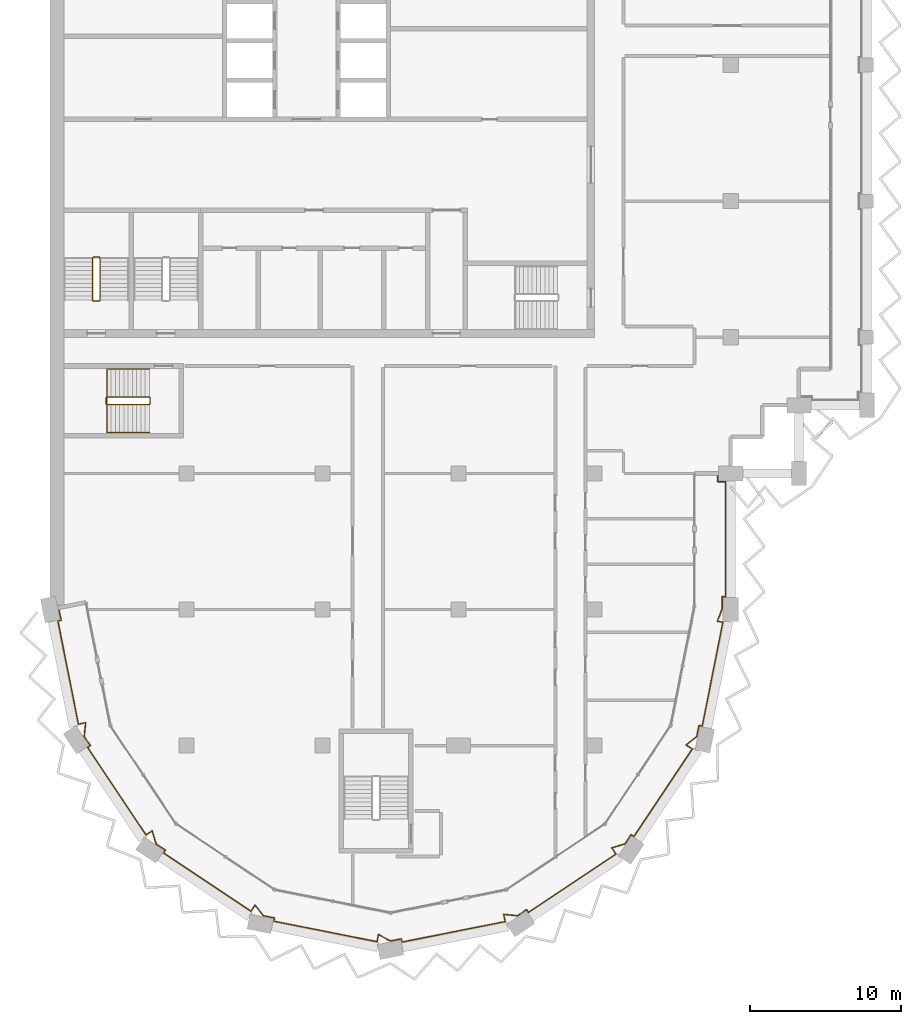
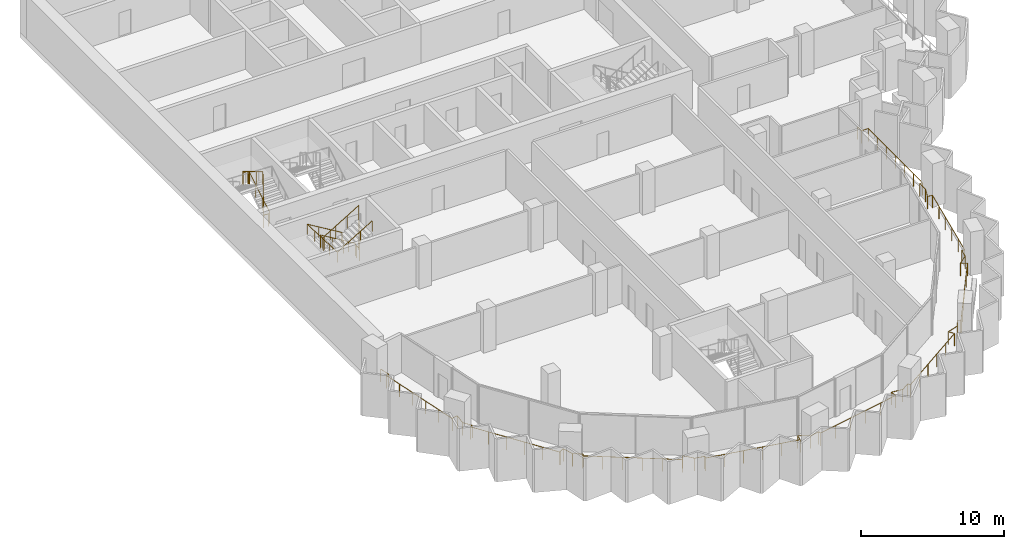
# One storey, part 14 of 16: 4 railings.
"""IFC4 building model written with IfcOpenShell, lengths in metres."""

from ifc_helpers import new_model, si_unit, direction, frame, origin, origin_2d, place, context, subcontext, project, spatial, circle, extrude, material, type_object, element, save


model = new_model("IFC4")

# Units and contexts
model_context = context("Model", 3, precision=1e-05, world=origin(), true_north=direction((0.0, 1.0)))
body_context = subcontext(model_context, "Body", "Model", "MODEL_VIEW")
ifc_project = project(units=[si_unit("LENGTHUNIT", "METRE"), si_unit("AREAUNIT", "SQUARE_METRE"), si_unit("VOLUMEUNIT", "CUBIC_METRE"), si_unit("PLANEANGLEUNIT", "RADIAN"), si_unit("MASSUNIT", "GRAM", prefix="KILO")], contexts=[model_context])

# Site, building, storey
site_placement = place(None, origin())
site = spatial("IfcSite", under=ifc_project, at=site_placement, CompositionType="ELEMENT")
building_placement = place(site_placement, origin())
building = spatial("IfcBuilding", under=site, at=building_placement, Name="Hunhe Ridgeline Campus", CompositionType="ELEMENT")
storey_placement = place(building_placement, frame((0.0, 0.0, 254.0)))
storey = spatial("IfcBuildingStorey", under=building, at=storey_placement, Name="L65", CompositionType="ELEMENT", Elevation=254.0)

# Railings
ifc_material_1 = material(Name="Steel Q355", Category="steel")
railing_type_1 = type_object("IfcRailingType", Name="Loggia guard 1100 Steel Q355", PredefinedType="GUARDRAIL", material=ifc_material_1)
railing_1_placement = place(storey_placement, frame((0.55908203125, 45.111083984375, 0.0)))
element("IfcRailing", 1, at=railing_1_placement, inside=storey, type_object=railing_type_1, Name="Loggia guard 1", PredefinedType="GUARDRAIL", context=body_context, shape_type="SweptSolid", body=[
    extrude(circle(Radius=0.02392578125, at=origin_2d()), frame((0.0, 0.0, 1.076171875), z_axis=(0.195066328581, -0.980790052689, 0.0), x_axis=(0.980790052689, 0.195066328581, 0.0)), (0.0, 0.0, 1.0), 0.849853515625),
    extrude(circle(Radius=0.02392578125, at=origin_2d()), frame((0.165771484375, -0.83349609375, 1.076171875), z_axis=(-0.980750988442, -0.195262640233, 0.0), x_axis=(0.195262640233, -0.980750988442, 0.0)), (0.0, 0.0, 1.0), 0.219970703125),
    extrude(circle(Radius=0.02392578125, at=origin_2d()), frame((-0.050048828125, -0.87646484375, 1.076171875), z_axis=(0.1951025318, -0.980782851647, 0.0), x_axis=(0.980782851647, 0.1951025318, 0.0)), (0.0, 0.0, 1.0), 6.94873046875),
    extrude(circle(Radius=0.02392578125, at=origin_2d()), frame((1.3056640625, -7.691650390625, 1.076171875), z_axis=(0.980791706313, 0.195058014004, 0.0), x_axis=(-0.195058014004, 0.980791706313, 0.0)), (0.0, 0.0, 1.0), 0.488037109375),
    extrude(circle(Radius=0.02392578125, at=origin_2d()), frame((1.784423828125, -7.596435546875, 1.076171875), z_axis=(-0.103312201106, -0.994648977832, 0.0), x_axis=(0.994648977832, -0.103312201106, 0.0)), (0.0, 0.0, 1.0), 0.907470703125),
    extrude(circle(Radius=0.02392578125, at=origin_2d()), frame((1.690673828125, -8.4990234375, 1.076171875), z_axis=(0.555464783965, -0.831540061437, 0.0), x_axis=(0.831540061437, 0.555464783965, 0.0)), (0.0, 0.0, 1.0), 0.736572265625),
    extrude(circle(Radius=0.02392578125, at=origin_2d()), frame((2.099853515625, -9.111572265625, 1.076171875), z_axis=(-0.831708467209, -0.555212594933, 0.0), x_axis=(0.555212594933, -0.831708467209, 0.0)), (0.0, 0.0, 1.0), 0.219970703125),
    extrude(circle(Radius=0.02392578125, at=origin_2d()), frame((1.9169921875, -9.233642578125, 1.076171875), z_axis=(0.555559363791, -0.831476874786, 0.0), x_axis=(0.831476874786, 0.555559363791, 0.0)), (0.0, 0.0, 1.0), 6.948486328125),
    extrude(circle(Radius=0.02392578125, at=origin_2d()), frame((5.77734375, -15.01123046875, 1.076171875), z_axis=(0.831588140797, 0.555392801615, 0.0), x_axis=(-0.555392801615, 0.831588140797, 0.0)), (0.0, 0.0, 1.0), 0.488037109375),
    extrude(circle(Radius=0.02392578125, at=origin_2d()), frame((6.18310546875, -14.740234375, 1.076171875), z_axis=(0.285150626135, -0.958482717849, 0.0), x_axis=(0.958482717849, 0.285150626135, 0.0)), (0.0, 0.0, 1.0), 0.907470703125),
    extrude(circle(Radius=0.02392578125, at=origin_2d()), frame((6.44189453125, -15.610107421875, 1.076171875), z_axis=(0.831540061437, -0.555464783965, 0.0), x_axis=(0.555464783965, 0.831540061437, 0.0)), (0.0, 0.0, 1.0), 0.736572265625),
    extrude(circle(Radius=0.02392578125, at=origin_2d()), frame((7.054443359375, -16.019287109375, 1.076171875), z_axis=(-0.555980009223, -0.831195662491, 0.0), x_axis=(0.831195662491, -0.555980009223, 0.0)), (0.0, 0.0, 1.0), 0.219970703125),
    extrude(circle(Radius=0.02392578125, at=origin_2d()), frame((6.93212890625, -16.2021484375, 1.076171875), z_axis=(0.831460644532, -0.555583654003, 0.0), x_axis=(0.555583654003, 0.831460644532, 0.0)), (0.0, 0.0, 1.0), 6.94873046875),
    extrude(circle(Radius=0.02392578125, at=origin_2d()), frame((12.709716796875, -20.062744140625, 1.076171875), z_axis=(0.555507638283, 0.831511433361, 0.0), x_axis=(-0.831511433361, 0.555507638283, 0.0)), (0.0, 0.0, 1.0), 0.48828125),
    extrude(circle(Radius=0.02392578125, at=origin_2d()), frame((12.98095703125, -19.65673828125, 1.076171875), z_axis=(0.630288754525, -0.776360796227, 0.0), x_axis=(0.776360796227, 0.630288754525, 0.0)), (0.0, 0.0, 1.0), 0.907470703125),
    extrude(circle(Radius=0.02392578125, at=origin_2d()), frame((13.552978515625, -20.361328125, 1.076171875), z_axis=(0.980758742397, -0.19522369019, 0.0), x_axis=(0.19522369019, 0.980758742397, 0.0)), (0.0, 0.0, 1.0), 0.736572265625),
    extrude(circle(Radius=0.02392578125, at=origin_2d()), frame((14.275390625, -20.505126953125, 1.076171875), z_axis=(-0.195262640233, -0.980750988442, 0.0), x_axis=(0.980750988442, -0.195262640233, 0.0)), (0.0, 0.0, 1.0), 0.219970703125),
    extrude(circle(Radius=0.02392578125, at=origin_2d()), frame((14.232421875, -20.720947265625, 1.076171875), z_axis=(0.980789574233, -0.195068734234, 0.0), x_axis=(0.195068734234, 0.980789574233, 0.0)), (0.0, 0.0, 1.0), 6.94873046875),
    extrude(circle(Radius=0.02392578125, at=origin_2d()), frame((21.047607421875, -22.076416015625, 1.076171875), z_axis=(0.195153744134, 0.980772662828, 0.0), x_axis=(-0.980772662828, 0.195153744134, 0.0)), (0.0, 0.0, 1.0), 0.48779296875),
    extrude(circle(Radius=0.02392578125, at=origin_2d()), frame((21.142822265625, -21.597900390625, 1.076171875), z_axis=(0.879371752487, -0.476135821934, 0.0), x_axis=(0.476135821934, 0.879371752487, 0.0)), (0.0, 0.0, 1.0), 0.907470703125),
    extrude(circle(Radius=0.02392578125, at=origin_2d()), frame((21.94091796875, -22.030029296875, 1.076171875), z_axis=(0.980758742397, 0.19522369019, 0.0), x_axis=(-0.19522369019, 0.980758742397, 0.0)), (0.0, 0.0, 1.0), 0.736572265625),
    extrude(circle(Radius=0.02392578125, at=origin_2d()), frame((22.663330078125, -21.88623046875, 1.076171875), z_axis=(0.195262640233, -0.980750988442, 0.0), x_axis=(0.980750988442, 0.195262640233, 0.0)), (0.0, 0.0, 1.0), 0.219970703125),
    extrude(circle(Radius=0.02392578125, at=origin_2d()), frame((22.706298828125, -22.10205078125, 1.076171875), z_axis=(0.980782851647, 0.1951025318, 0.0), x_axis=(-0.1951025318, 0.980782851647, 0.0)), (0.0, 0.0, 1.0), 6.94873046875),
    extrude(circle(Radius=0.02392578125, at=origin_2d()), frame((29.521484375, -20.746337890625, 1.076171875), z_axis=(-0.195058014004, 0.980791706313, 0.0), x_axis=(-0.980791706313, -0.195058014004, 0.0)), (0.0, 0.0, 1.0), 0.488037109375),
    extrude(circle(Radius=0.02392578125, at=origin_2d()), frame((29.42626953125, -20.267578125, 1.076171875), z_axis=(0.994648977832, -0.103312201106, 0.0), x_axis=(0.103312201106, 0.994648977832, 0.0)), (0.0, 0.0, 1.0), 0.907470703125),
    extrude(circle(Radius=0.02392578125, at=origin_2d()), frame((30.328857421875, -20.361328125, 1.076171875), z_axis=(0.831540061437, 0.555464783965, 0.0), x_axis=(-0.555464783965, 0.831540061437, 0.0)), (0.0, 0.0, 1.0), 0.736572265625),
    extrude(circle(Radius=0.02392578125, at=origin_2d()), frame((30.94140625, -19.9521484375, 1.076171875), z_axis=(0.555212594933, -0.831708467209, 0.0), x_axis=(0.831708467209, 0.555212594933, 0.0)), (0.0, 0.0, 1.0), 0.219970703125),
    extrude(circle(Radius=0.02392578125, at=origin_2d()), frame((31.0634765625, -20.135009765625, 1.076171875), z_axis=(0.831476874786, 0.555559363791, 0.0), x_axis=(-0.555559363791, 0.831476874786, 0.0)), (0.0, 0.0, 1.0), 6.948486328125),
    extrude(circle(Radius=0.02392578125, at=origin_2d()), frame((36.841064453125, -16.274658203125, 1.076171875), z_axis=(-0.555392801615, 0.831588140797, 0.0), x_axis=(-0.831588140797, -0.555392801615, 0.0)), (0.0, 0.0, 1.0), 0.488037109375),
    extrude(circle(Radius=0.02392578125, at=origin_2d()), frame((36.570068359375, -15.868896484375, 1.076171875), z_axis=(0.958482717849, 0.285150626135, 0.0), x_axis=(-0.285150626135, 0.958482717849, 0.0)), (0.0, 0.0, 1.0), 0.907470703125),
    extrude(circle(Radius=0.02392578125, at=origin_2d()), frame((37.43994140625, -15.610107421875, 1.076171875), z_axis=(0.555464783965, 0.831540061437, 0.0), x_axis=(-0.831540061437, 0.555464783965, 0.0)), (0.0, 0.0, 1.0), 0.736572265625),
    extrude(circle(Radius=0.02392578125, at=origin_2d()), frame((37.84912109375, -14.99755859375, 1.076171875), z_axis=(0.831195662491, -0.555980009223, 0.0), x_axis=(0.555980009223, 0.831195662491, 0.0)), (0.0, 0.0, 1.0), 0.219970703125),
    extrude(circle(Radius=0.02392578125, at=origin_2d()), frame((38.031982421875, -15.119873046875, 1.076171875), z_axis=(0.555583654003, 0.831460644532, 0.0), x_axis=(-0.831460644532, 0.555583654003, 0.0)), (0.0, 0.0, 1.0), 6.94873046875),
    extrude(circle(Radius=0.02392578125, at=origin_2d()), frame((41.892578125, -9.34228515625, 1.076171875), z_axis=(-0.831511433361, 0.555507638283, 0.0), x_axis=(-0.555507638283, -0.831511433361, 0.0)), (0.0, 0.0, 1.0), 0.48828125),
    extrude(circle(Radius=0.02392578125, at=origin_2d()), frame((41.486572265625, -9.071044921875, 1.076171875), z_axis=(0.776360796227, 0.630288754525, 0.0), x_axis=(-0.630288754525, 0.776360796227, 0.0)), (0.0, 0.0, 1.0), 0.907470703125),
    extrude(circle(Radius=0.02392578125, at=origin_2d()), frame((42.191162109375, -8.4990234375, 1.076171875), z_axis=(0.19522369019, 0.980758742397, 0.0), x_axis=(-0.980758742397, 0.19522369019, 0.0)), (0.0, 0.0, 1.0), 0.736572265625),
    extrude(circle(Radius=0.02392578125, at=origin_2d()), frame((42.3349609375, -7.776611328125, 1.076171875), z_axis=(0.980750988442, -0.195262640233, 0.0), x_axis=(0.195262640233, 0.980750988442, 0.0)), (0.0, 0.0, 1.0), 0.219970703125),
    extrude(circle(Radius=0.02392578125, at=origin_2d()), frame((42.55078125, -7.819580078125, 1.076171875), z_axis=(0.195082678264, 0.980786800809, 0.0), x_axis=(-0.980786800809, 0.195082678264, 0.0)), (0.0, 0.0, 1.0), 6.9970703125),
    extrude(circle(Radius=0.02392578125, at=origin_2d()), frame((43.915771484375, -0.95703125, 1.076171875), z_axis=(-0.980759647752, 0.195219141842, 0.0), x_axis=(-0.195219141842, -0.980759647752, 0.0)), (0.0, 0.0, 1.0), 0.366455078125),
    extrude(circle(Radius=0.02392578125, at=origin_2d()), frame((43.556396484375, -0.885498046875, 1.076171875), z_axis=(0.354074070723, 0.935217382453, 0.0), x_axis=(-0.935217382453, 0.354074070723, 0.0)), (0.0, 0.0, 1.0), 0.88818359375),
    extrude(circle(Radius=0.02392578125, at=origin_2d()), frame((43.870849609375, -0.054931640625, 1.076171875), z_axis=(0.0, 1.0, 0.0), x_axis=(-1.0, 0.0, 0.0)), (0.0, 0.0, 1.0), 0.7939453125),
    extrude(circle(Radius=0.02392578125, at=origin_2d()), frame((43.870849609375, 0.739013671875, 1.076171875), z_axis=(1.0, 0.0, 0.0), x_axis=(0.0, 1.0, 0.0)), (0.0, 0.0, 1.0), 0.219970703125),
    extrude(circle(Radius=0.02392578125, at=origin_2d()), frame((44.0908203125, 0.739013671875, 1.076171875), z_axis=(0.0, 1.0, 0.0), x_axis=(-1.0, 0.0, 0.0)), (0.0, 0.0, 1.0), 7.599853515625),
    extrude(circle(Radius=0.02392578125, at=origin_2d()), frame((44.0908203125, 8.3388671875, 1.076171875), z_axis=(-1.0, 0.0, 0.0), x_axis=(0.0, -1.0, 0.0)), (0.0, 0.0, 1.0), 0.52001953125),
    extrude(circle(Radius=0.02392578125, at=origin_2d()), frame((43.57080078125, 8.3388671875, 1.076171875), z_axis=(0.0, 1.0, 0.0), x_axis=(-1.0, 0.0, 0.0)), (0.0, 0.0, 1.0), 0.550048828125),
    extrude(circle(Radius=0.02099609375, at=origin_2d()), origin(), (0.0, 0.0, 1.0), 1.052001953125),
    extrude(circle(Radius=0.02099609375, at=origin_2d()), frame((0.165771484375, -0.83349609375, 0.0)), (0.0, 0.0, 1.0), 1.052001953125),
    extrude(circle(Radius=0.02099609375, at=origin_2d()), frame((-0.050048828125, -0.87646484375, 0.0)), (0.0, 0.0, 1.0), 1.052001953125),
    extrude(circle(Radius=0.02099609375, at=origin_2d()), frame((0.22119140625, -2.239501953125, 0.0)), (0.0, 0.0, 1.0), 1.052001953125),
    extrude(circle(Radius=0.02099609375, at=origin_2d()), frame((0.4921875, -3.6025390625, 0.0)), (0.0, 0.0, 1.0), 1.052001953125),
    extrude(circle(Radius=0.02099609375, at=origin_2d()), frame((0.763427734375, -4.965576171875, 0.0)), (0.0, 0.0, 1.0), 1.052001953125),
    extrude(circle(Radius=0.02099609375, at=origin_2d()), frame((1.034423828125, -6.32861328125, 0.0)), (0.0, 0.0, 1.0), 1.052001953125),
    extrude(circle(Radius=0.02099609375, at=origin_2d()), frame((1.3056640625, -7.691650390625, 0.0)), (0.0, 0.0, 1.0), 1.052001953125),
    extrude(circle(Radius=0.02099609375, at=origin_2d()), frame((1.784423828125, -7.596435546875, 0.0)), (0.0, 0.0, 1.0), 1.052001953125),
    extrude(circle(Radius=0.02099609375, at=origin_2d()), frame((1.690673828125, -8.4990234375, 0.0)), (0.0, 0.0, 1.0), 1.052001953125),
    extrude(circle(Radius=0.02099609375, at=origin_2d()), frame((2.099853515625, -9.111572265625, 0.0)), (0.0, 0.0, 1.0), 1.052001953125),
    extrude(circle(Radius=0.02099609375, at=origin_2d()), frame((1.9169921875, -9.233642578125, 0.0)), (0.0, 0.0, 1.0), 1.052001953125),
    extrude(circle(Radius=0.02099609375, at=origin_2d()), frame((2.68896484375, -10.38916015625, 0.0)), (0.0, 0.0, 1.0), 1.052001953125),
    extrude(circle(Radius=0.02099609375, at=origin_2d()), frame((3.461181640625, -11.544677734375, 0.0)), (0.0, 0.0, 1.0), 1.052001953125),
    extrude(circle(Radius=0.02099609375, at=origin_2d()), frame((4.233154296875, -12.7001953125, 0.0)), (0.0, 0.0, 1.0), 1.052001953125),
    extrude(circle(Radius=0.02099609375, at=origin_2d()), frame((5.00537109375, -13.855712890625, 0.0)), (0.0, 0.0, 1.0), 1.052001953125),
    extrude(circle(Radius=0.02099609375, at=origin_2d()), frame((5.77734375, -15.01123046875, 0.0)), (0.0, 0.0, 1.0), 1.052001953125),
    extrude(circle(Radius=0.02099609375, at=origin_2d()), frame((6.18310546875, -14.740234375, 0.0)), (0.0, 0.0, 1.0), 1.052001953125),
    extrude(circle(Radius=0.02099609375, at=origin_2d()), frame((6.44189453125, -15.610107421875, 0.0)), (0.0, 0.0, 1.0), 1.052001953125),
    extrude(circle(Radius=0.02099609375, at=origin_2d()), frame((7.054443359375, -16.019287109375, 0.0)), (0.0, 0.0, 1.0), 1.052001953125),
    extrude(circle(Radius=0.02099609375, at=origin_2d()), frame((6.93212890625, -16.2021484375, 0.0)), (0.0, 0.0, 1.0), 1.052001953125),
    extrude(circle(Radius=0.02099609375, at=origin_2d()), frame((8.087646484375, -16.974365234375, 0.0)), (0.0, 0.0, 1.0), 1.052001953125),
    extrude(circle(Radius=0.02099609375, at=origin_2d()), frame((9.2431640625, -17.746337890625, 0.0)), (0.0, 0.0, 1.0), 1.052001953125),
    extrude(circle(Radius=0.02099609375, at=origin_2d()), frame((10.398681640625, -18.5185546875, 0.0)), (0.0, 0.0, 1.0), 1.052001953125),
    extrude(circle(Radius=0.02099609375, at=origin_2d()), frame((11.55419921875, -19.29052734375, 0.0)), (0.0, 0.0, 1.0), 1.052001953125),
    extrude(circle(Radius=0.02099609375, at=origin_2d()), frame((12.709716796875, -20.062744140625, 0.0)), (0.0, 0.0, 1.0), 1.052001953125),
    extrude(circle(Radius=0.02099609375, at=origin_2d()), frame((12.98095703125, -19.65673828125, 0.0)), (0.0, 0.0, 1.0), 1.052001953125),
    extrude(circle(Radius=0.02099609375, at=origin_2d()), frame((13.552978515625, -20.361328125, 0.0)), (0.0, 0.0, 1.0), 1.052001953125),
    extrude(circle(Radius=0.02099609375, at=origin_2d()), frame((14.275390625, -20.505126953125, 0.0)), (0.0, 0.0, 1.0), 1.052001953125),
    extrude(circle(Radius=0.02099609375, at=origin_2d()), frame((14.232421875, -20.720947265625, 0.0)), (0.0, 0.0, 1.0), 1.052001953125),
    extrude(circle(Radius=0.02099609375, at=origin_2d()), frame((15.595458984375, -20.991943359375, 0.0)), (0.0, 0.0, 1.0), 1.052001953125),
    extrude(circle(Radius=0.02099609375, at=origin_2d()), frame((16.95849609375, -21.26318359375, 0.0)), (0.0, 0.0, 1.0), 1.052001953125),
    extrude(circle(Radius=0.02099609375, at=origin_2d()), frame((18.321533203125, -21.5341796875, 0.0)), (0.0, 0.0, 1.0), 1.052001953125),
    extrude(circle(Radius=0.02099609375, at=origin_2d()), frame((19.6845703125, -21.805419921875, 0.0)), (0.0, 0.0, 1.0), 1.052001953125),
    extrude(circle(Radius=0.02099609375, at=origin_2d()), frame((21.047607421875, -22.076416015625, 0.0)), (0.0, 0.0, 1.0), 1.052001953125),
    extrude(circle(Radius=0.02099609375, at=origin_2d()), frame((21.142822265625, -21.597900390625, 0.0)), (0.0, 0.0, 1.0), 1.052001953125),
    extrude(circle(Radius=0.02099609375, at=origin_2d()), frame((21.94091796875, -22.030029296875, 0.0)), (0.0, 0.0, 1.0), 1.052001953125),
    extrude(circle(Radius=0.02099609375, at=origin_2d()), frame((22.663330078125, -21.88623046875, 0.0)), (0.0, 0.0, 1.0), 1.052001953125),
    extrude(circle(Radius=0.02099609375, at=origin_2d()), frame((22.706298828125, -22.10205078125, 0.0)), (0.0, 0.0, 1.0), 1.052001953125),
    extrude(circle(Radius=0.02099609375, at=origin_2d()), frame((24.0693359375, -21.830810546875, 0.0)), (0.0, 0.0, 1.0), 1.052001953125),
    extrude(circle(Radius=0.02099609375, at=origin_2d()), frame((25.432373046875, -21.559814453125, 0.0)), (0.0, 0.0, 1.0), 1.052001953125),
    extrude(circle(Radius=0.02099609375, at=origin_2d()), frame((26.79541015625, -21.28857421875, 0.0)), (0.0, 0.0, 1.0), 1.052001953125),
    extrude(circle(Radius=0.02099609375, at=origin_2d()), frame((28.158447265625, -21.017578125, 0.0)), (0.0, 0.0, 1.0), 1.052001953125),
    extrude(circle(Radius=0.02099609375, at=origin_2d()), frame((29.521484375, -20.746337890625, 0.0)), (0.0, 0.0, 1.0), 1.052001953125),
    extrude(circle(Radius=0.02099609375, at=origin_2d()), frame((29.42626953125, -20.267578125, 0.0)), (0.0, 0.0, 1.0), 1.052001953125),
    extrude(circle(Radius=0.02099609375, at=origin_2d()), frame((30.328857421875, -20.361328125, 0.0)), (0.0, 0.0, 1.0), 1.052001953125),
    extrude(circle(Radius=0.02099609375, at=origin_2d()), frame((30.94140625, -19.9521484375, 0.0)), (0.0, 0.0, 1.0), 1.052001953125),
    extrude(circle(Radius=0.02099609375, at=origin_2d()), frame((31.0634765625, -20.135009765625, 0.0)), (0.0, 0.0, 1.0), 1.052001953125),
    extrude(circle(Radius=0.02099609375, at=origin_2d()), frame((32.218994140625, -19.363037109375, 0.0)), (0.0, 0.0, 1.0), 1.052001953125),
    extrude(circle(Radius=0.02099609375, at=origin_2d()), frame((33.37451171875, -18.5908203125, 0.0)), (0.0, 0.0, 1.0), 1.052001953125),
    extrude(circle(Radius=0.02099609375, at=origin_2d()), frame((34.530029296875, -17.81884765625, 0.0)), (0.0, 0.0, 1.0), 1.052001953125),
    extrude(circle(Radius=0.02099609375, at=origin_2d()), frame((35.685546875, -17.046630859375, 0.0)), (0.0, 0.0, 1.0), 1.052001953125),
    extrude(circle(Radius=0.02099609375, at=origin_2d()), frame((36.841064453125, -16.274658203125, 0.0)), (0.0, 0.0, 1.0), 1.052001953125),
    extrude(circle(Radius=0.02099609375, at=origin_2d()), frame((36.570068359375, -15.868896484375, 0.0)), (0.0, 0.0, 1.0), 1.052001953125),
    extrude(circle(Radius=0.02099609375, at=origin_2d()), frame((37.43994140625, -15.610107421875, 0.0)), (0.0, 0.0, 1.0), 1.052001953125),
    extrude(circle(Radius=0.02099609375, at=origin_2d()), frame((37.84912109375, -14.99755859375, 0.0)), (0.0, 0.0, 1.0), 1.052001953125),
    extrude(circle(Radius=0.02099609375, at=origin_2d()), frame((38.031982421875, -15.119873046875, 0.0)), (0.0, 0.0, 1.0), 1.052001953125),
    extrude(circle(Radius=0.02099609375, at=origin_2d()), frame((38.80419921875, -13.96435546875, 0.0)), (0.0, 0.0, 1.0), 1.052001953125),
    extrude(circle(Radius=0.02099609375, at=origin_2d()), frame((39.576171875, -12.808837890625, 0.0)), (0.0, 0.0, 1.0), 1.052001953125),
    extrude(circle(Radius=0.02099609375, at=origin_2d()), frame((40.348388671875, -11.6533203125, 0.0)), (0.0, 0.0, 1.0), 1.052001953125),
    extrude(circle(Radius=0.02099609375, at=origin_2d()), frame((41.120361328125, -10.497802734375, 0.0)), (0.0, 0.0, 1.0), 1.052001953125),
    extrude(circle(Radius=0.02099609375, at=origin_2d()), frame((41.892578125, -9.34228515625, 0.0)), (0.0, 0.0, 1.0), 1.052001953125),
    extrude(circle(Radius=0.02099609375, at=origin_2d()), frame((41.486572265625, -9.071044921875, 0.0)), (0.0, 0.0, 1.0), 1.052001953125),
    extrude(circle(Radius=0.02099609375, at=origin_2d()), frame((42.191162109375, -8.4990234375, 0.0)), (0.0, 0.0, 1.0), 1.052001953125),
    extrude(circle(Radius=0.02099609375, at=origin_2d()), frame((42.3349609375, -7.776611328125, 0.0)), (0.0, 0.0, 1.0), 1.052001953125),
    extrude(circle(Radius=0.02099609375, at=origin_2d()), frame((42.55078125, -7.819580078125, 0.0)), (0.0, 0.0, 1.0), 1.052001953125),
    extrude(circle(Radius=0.02099609375, at=origin_2d()), frame((42.82373046875, -6.447021484375, 0.0)), (0.0, 0.0, 1.0), 1.052001953125),
    extrude(circle(Radius=0.02099609375, at=origin_2d()), frame((43.0966796875, -5.074462890625, 0.0)), (0.0, 0.0, 1.0), 1.052001953125),
    extrude(circle(Radius=0.02099609375, at=origin_2d()), frame((43.369873046875, -3.7021484375, 0.0)), (0.0, 0.0, 1.0), 1.052001953125),
    extrude(circle(Radius=0.02099609375, at=origin_2d()), frame((43.642822265625, -2.32958984375, 0.0)), (0.0, 0.0, 1.0), 1.052001953125),
    extrude(circle(Radius=0.02099609375, at=origin_2d()), frame((43.915771484375, -0.95703125, 0.0)), (0.0, 0.0, 1.0), 1.052001953125),
    extrude(circle(Radius=0.02099609375, at=origin_2d()), frame((43.556396484375, -0.885498046875, 0.0)), (0.0, 0.0, 1.0), 1.052001953125),
    extrude(circle(Radius=0.02099609375, at=origin_2d()), frame((43.870849609375, -0.054931640625, 0.0)), (0.0, 0.0, 1.0), 1.052001953125),
    extrude(circle(Radius=0.02099609375, at=origin_2d()), frame((43.870849609375, 0.739013671875, 0.0)), (0.0, 0.0, 1.0), 1.052001953125),
    extrude(circle(Radius=0.02099609375, at=origin_2d()), frame((44.0908203125, 0.739013671875, 0.0)), (0.0, 0.0, 1.0), 1.052001953125),
    extrude(circle(Radius=0.02099609375, at=origin_2d()), frame((44.0908203125, 2.005615234375, 0.0)), (0.0, 0.0, 1.0), 1.052001953125),
    extrude(circle(Radius=0.02099609375, at=origin_2d()), frame((44.0908203125, 3.272216796875, 0.0)), (0.0, 0.0, 1.0), 1.052001953125),
    extrude(circle(Radius=0.02099609375, at=origin_2d()), frame((44.0908203125, 4.5390625, 0.0)), (0.0, 0.0, 1.0), 1.052001953125),
    extrude(circle(Radius=0.02099609375, at=origin_2d()), frame((44.0908203125, 5.8056640625, 0.0)), (0.0, 0.0, 1.0), 1.052001953125),
    extrude(circle(Radius=0.02099609375, at=origin_2d()), frame((44.0908203125, 7.072265625, 0.0)), (0.0, 0.0, 1.0), 1.052001953125),
    extrude(circle(Radius=0.02099609375, at=origin_2d()), frame((44.0908203125, 8.3388671875, 0.0)), (0.0, 0.0, 1.0), 1.052001953125),
    extrude(circle(Radius=0.02099609375, at=origin_2d()), frame((43.57080078125, 8.3388671875, 0.0)), (0.0, 0.0, 1.0), 1.052001953125),
    extrude(circle(Radius=0.02099609375, at=origin_2d()), frame((43.57080078125, 8.888916015625, 0.0)), (0.0, 0.0, 1.0), 1.052001953125),
])
ifc_material_2 = material(Name="Stainless steel balustrade", Category="steel")
railing_type_2 = type_object("IfcRailingType", Name="Stair guard 1100 stainless", PredefinedType="GUARDRAIL", material=ifc_material_2)
railing_2_placement = place(storey_placement, frame((3.300048828125, 65.449951171875, 0.168212890625)))
element("IfcRailing", 2, at=railing_2_placement, inside=storey, type_object=railing_type_2, Name="L65 stair S3 guard", PredefinedType="GUARDRAIL", context=body_context, shape_type="SweptSolid", body=[
    extrude(circle(Radius=0.02392578125, at=origin_2d()), frame((0.0, 0.0, 1.076171875), z_axis=(0.0, 0.857242210791, 0.514913383045), x_axis=(-1.0, 0.0, 0.0)), (0.0, 0.0, 1.0), 3.266357421875),
    extrude(circle(Radius=0.02392578125, at=origin_2d()), frame((0.0, 2.800048828125, 2.7578125), z_axis=(-0.707106781187, 0.707106781187, 0.0), x_axis=(-0.707106781187, -0.707106781187, 0.0)), (0.0, 0.0, 1.0), 0.07080078125),
    extrude(circle(Radius=0.02392578125, at=origin_2d()), frame((-0.050048828125, 2.85009765625, 2.7578125), z_axis=(-1.0, 0.0, 0.0), x_axis=(0.0, -1.0, 0.0)), (0.0, 0.0, 1.0), 0.39990234375),
    extrude(circle(Radius=0.02392578125, at=origin_2d()), frame((-0.449951171875, 2.85009765625, 2.7578125), z_axis=(-0.274582412415, -0.274582412415, 0.921525364591), x_axis=(0.707106781187, -0.707106781187, 0.0)), (0.0, 0.0, 1.0), 0.182373046875),
    extrude(circle(Radius=0.02392578125, at=origin_2d()), frame((-0.5, 2.800048828125, 2.92578125), z_axis=(0.0, -0.857242210791, 0.514913383045), x_axis=(1.0, 0.0, 0.0)), (0.0, 0.0, 1.0), 3.266357421875),
    extrude(circle(Radius=0.02392578125, at=origin_2d()), frame((-0.5, 0.0, 4.60791015625), z_axis=(0.013524414389, -0.013524414389, -0.999817073484), x_axis=(0.707106781187, 0.707106781187, 0.0)), (0.0, 0.0, 1.0), 3.70068359375),
    extrude(circle(Radius=0.02392578125, at=origin_2d()), frame((-0.449951171875, -0.050048828125, 0.90771484375), z_axis=(1.0, 0.0, 0.0), x_axis=(0.0, 1.0, 0.0)), (0.0, 0.0, 1.0), 0.39990234375),
    extrude(circle(Radius=0.02099609375, at=origin_2d()), origin(), (0.0, 0.0, 1.0), 1.052001953125),
    extrude(circle(Radius=0.02099609375, at=origin_2d()), frame((0.0, 0.933349609375, 0.560546875)), (0.0, 0.0, 1.0), 1.052001953125),
    extrude(circle(Radius=0.02099609375, at=origin_2d()), frame((0.0, 1.86669921875, 1.121337890625)), (0.0, 0.0, 1.0), 1.052001953125),
    extrude(circle(Radius=0.02099609375, at=origin_2d()), frame((0.0, 2.800048828125, 1.681884765625)), (0.0, 0.0, 1.0), 1.052001953125),
    extrude(circle(Radius=0.02099609375, at=origin_2d()), frame((-0.050048828125, 2.85009765625, 1.681884765625)), (0.0, 0.0, 1.0), 1.052001953125),
    extrude(circle(Radius=0.02099609375, at=origin_2d()), frame((-0.449951171875, 2.85009765625, 1.681884765625)), (0.0, 0.0, 1.0), 1.052001953125),
    extrude(circle(Radius=0.02099609375, at=origin_2d()), frame((-0.5, 2.800048828125, 1.849853515625)), (0.0, 0.0, 1.0), 1.052001953125),
    extrude(circle(Radius=0.02099609375, at=origin_2d()), frame((-0.5, 1.86669921875, 2.410400390625)), (0.0, 0.0, 1.0), 1.052001953125),
    extrude(circle(Radius=0.02099609375, at=origin_2d()), frame((-0.5, 0.933349609375, 2.97119140625)), (0.0, 0.0, 1.0), 1.052001953125),
    extrude(circle(Radius=0.02099609375, at=origin_2d()), frame((-0.5, 0.0, 3.53173828125)), (0.0, 0.0, 1.0), 1.052001953125),
    extrude(circle(Radius=0.02099609375, at=origin_2d()), frame((-0.487548828125, -0.012451171875, 2.606689453125)), (0.0, 0.0, 1.0), 1.052001953125),
    extrude(circle(Radius=0.02099609375, at=origin_2d()), frame((-0.47509765625, -0.02490234375, 1.681640625)), (0.0, 0.0, 1.0), 1.052001953125),
    extrude(circle(Radius=0.02099609375, at=origin_2d()), frame((-0.46240234375, -0.03759765625, 0.7568359375)), (0.0, 0.0, 1.0), 1.052001953125),
    extrude(circle(Radius=0.02099609375, at=origin_2d()), frame((-0.449951171875, -0.050048828125, -0.168212890625)), (0.0, 0.0, 1.0), 1.052001953125),
    extrude(circle(Radius=0.02099609375, at=origin_2d()), frame((-0.050048828125, -0.050048828125, -0.168212890625)), (0.0, 0.0, 1.0), 1.052001953125),
])
railing_3_placement = place(storey_placement, frame((6.550048828125, 59.050048828125, 0.168212890625)))
element("IfcRailing", 3, at=railing_3_placement, inside=storey, type_object=railing_type_2, Name="L65 stair W2 guard", PredefinedType="GUARDRAIL", context=body_context, shape_type="SweptSolid", body=[
    extrude(circle(Radius=0.02392578125, at=origin_2d()), frame((0.0, 0.0, 1.076171875), z_axis=(-0.857242210791, 0.0, 0.514913383045), x_axis=(0.0, -1.0, 0.0)), (0.0, 0.0, 1.0), 3.266357421875),
    extrude(circle(Radius=0.02392578125, at=origin_2d()), frame((-2.800048828125, 0.0, 2.7578125), z_axis=(-0.707106781187, -0.707106781187, 0.0), x_axis=(0.707106781187, -0.707106781187, 0.0)), (0.0, 0.0, 1.0), 0.07080078125),
    extrude(circle(Radius=0.02392578125, at=origin_2d()), frame((-2.85009765625, -0.050048828125, 2.7578125), z_axis=(0.0, -1.0, 0.0), x_axis=(1.0, 0.0, 0.0)), (0.0, 0.0, 1.0), 0.39990234375),
    extrude(circle(Radius=0.02392578125, at=origin_2d()), frame((-2.85009765625, -0.449951171875, 2.7578125), z_axis=(0.274582412415, -0.274582412415, 0.921525364591), x_axis=(0.707106781187, 0.707106781187, 0.0)), (0.0, 0.0, 1.0), 0.182373046875),
    extrude(circle(Radius=0.02392578125, at=origin_2d()), frame((-2.800048828125, -0.5, 2.92578125), z_axis=(0.857242210791, 0.0, 0.514913383045), x_axis=(0.0, 1.0, 0.0)), (0.0, 0.0, 1.0), 3.266357421875),
    extrude(circle(Radius=0.02392578125, at=origin_2d()), frame((0.0, -0.5, 4.60791015625), z_axis=(0.013524414389, 0.013524414389, -0.999817073484), x_axis=(-0.707106781187, 0.707106781187, 0.0)), (0.0, 0.0, 1.0), 3.70068359375),
    extrude(circle(Radius=0.02392578125, at=origin_2d()), frame((0.050048828125, -0.449951171875, 0.90771484375), z_axis=(0.0, 1.0, 0.0), x_axis=(-1.0, 0.0, 0.0)), (0.0, 0.0, 1.0), 0.39990234375),
    extrude(circle(Radius=0.02099609375, at=origin_2d()), origin(), (0.0, 0.0, 1.0), 1.052001953125),
    extrude(circle(Radius=0.02099609375, at=origin_2d()), frame((-0.933349609375, 0.0, 0.560546875)), (0.0, 0.0, 1.0), 1.052001953125),
    extrude(circle(Radius=0.02099609375, at=origin_2d()), frame((-1.86669921875, 0.0, 1.121337890625)), (0.0, 0.0, 1.0), 1.052001953125),
    extrude(circle(Radius=0.02099609375, at=origin_2d()), frame((-2.800048828125, 0.0, 1.681884765625)), (0.0, 0.0, 1.0), 1.052001953125),
    extrude(circle(Radius=0.02099609375, at=origin_2d()), frame((-2.85009765625, -0.050048828125, 1.681884765625)), (0.0, 0.0, 1.0), 1.052001953125),
    extrude(circle(Radius=0.02099609375, at=origin_2d()), frame((-2.85009765625, -0.449951171875, 1.681884765625)), (0.0, 0.0, 1.0), 1.052001953125),
    extrude(circle(Radius=0.02099609375, at=origin_2d()), frame((-2.800048828125, -0.5, 1.849853515625)), (0.0, 0.0, 1.0), 1.052001953125),
    extrude(circle(Radius=0.02099609375, at=origin_2d()), frame((-1.86669921875, -0.5, 2.410400390625)), (0.0, 0.0, 1.0), 1.052001953125),
    extrude(circle(Radius=0.02099609375, at=origin_2d()), frame((-0.933349609375, -0.5, 2.97119140625)), (0.0, 0.0, 1.0), 1.052001953125),
    extrude(circle(Radius=0.02099609375, at=origin_2d()), frame((0.0, -0.5, 3.53173828125)), (0.0, 0.0, 1.0), 1.052001953125),
    extrude(circle(Radius=0.02099609375, at=origin_2d()), frame((0.012451171875, -0.487548828125, 2.606689453125)), (0.0, 0.0, 1.0), 1.052001953125),
    extrude(circle(Radius=0.02099609375, at=origin_2d()), frame((0.02490234375, -0.47509765625, 1.681640625)), (0.0, 0.0, 1.0), 1.052001953125),
    extrude(circle(Radius=0.02099609375, at=origin_2d()), frame((0.03759765625, -0.46240234375, 0.7568359375)), (0.0, 0.0, 1.0), 1.052001953125),
    extrude(circle(Radius=0.02099609375, at=origin_2d()), frame((0.050048828125, -0.449951171875, -0.168212890625)), (0.0, 0.0, 1.0), 1.052001953125),
    extrude(circle(Radius=0.02099609375, at=origin_2d()), frame((0.050048828125, -0.050048828125, -0.168212890625)), (0.0, 0.0, 1.0), 1.052001953125),
])
ifc_material_3 = material(Name="Stainless steel handrail", Category="steel")
railing_type_3 = type_object("IfcRailingType", Name="Stair handrail 900 stainless", PredefinedType="HANDRAIL", material=ifc_material_3)
railing_4_placement = place(storey_placement, frame((6.550048828125, 60.89990234375, 0.168212890625)))
element("IfcRailing", 4, at=railing_4_placement, inside=storey, type_object=railing_type_3, Name="L65 stair W2 handrail", PredefinedType="HANDRAIL", context=body_context, shape_type="SweptSolid", body=[
    extrude(circle(Radius=0.02392578125, at=origin_2d()), frame((0.0, 0.0, 0.8759765625), z_axis=(-0.857242210791, 0.0, 0.514913383045), x_axis=(0.0, -1.0, 0.0)), (0.0, 0.0, 1.0), 3.266357421875),
    extrude(circle(Radius=0.02392578125, at=origin_2d()), frame((-2.800048828125, 0.0, 2.5576171875), z_axis=(0.0, -0.99920123705, 0.039961079526), x_axis=(1.0, 0.0, 0.0)), (0.0, 0.0, 1.0), 4.203369140625),
    extrude(circle(Radius=0.02392578125, at=origin_2d()), frame((-2.800048828125, -4.199951171875, 2.7255859375), z_axis=(0.857242210791, 0.0, 0.514913383045), x_axis=(0.0, 1.0, 0.0)), (0.0, 0.0, 1.0), 3.266357421875),
    extrude(circle(Radius=0.02099609375, at=origin_2d()), origin(), (0.0, 0.0, 1.0), 0.851806640625),
    extrude(circle(Radius=0.02099609375, at=origin_2d()), frame((-0.933349609375, 0.0, 0.560546875)), (0.0, 0.0, 1.0), 0.851806640625),
    extrude(circle(Radius=0.02099609375, at=origin_2d()), frame((-1.86669921875, 0.0, 1.121337890625)), (0.0, 0.0, 1.0), 0.851806640625),
    extrude(circle(Radius=0.02099609375, at=origin_2d()), frame((-2.800048828125, 0.0, 1.681884765625)), (0.0, 0.0, 1.0), 0.851806640625),
    extrude(circle(Radius=0.02099609375, at=origin_2d()), frame((-2.800048828125, -1.050048828125, 1.723876953125)), (0.0, 0.0, 1.0), 0.851806640625),
    extrude(circle(Radius=0.02099609375, at=origin_2d()), frame((-2.800048828125, -2.10009765625, 1.765869140625)), (0.0, 0.0, 1.0), 0.851806640625),
    extrude(circle(Radius=0.02099609375, at=origin_2d()), frame((-2.800048828125, -3.14990234375, 1.807861328125)), (0.0, 0.0, 1.0), 0.851806640625),
    extrude(circle(Radius=0.02099609375, at=origin_2d()), frame((-2.800048828125, -4.199951171875, 1.849853515625)), (0.0, 0.0, 1.0), 0.851806640625),
    extrude(circle(Radius=0.02099609375, at=origin_2d()), frame((-1.86669921875, -4.199951171875, 2.410400390625)), (0.0, 0.0, 1.0), 0.851806640625),
    extrude(circle(Radius=0.02099609375, at=origin_2d()), frame((-0.933349609375, -4.199951171875, 2.97119140625)), (0.0, 0.0, 1.0), 0.851806640625),
    extrude(circle(Radius=0.02099609375, at=origin_2d()), frame((0.0, -4.199951171875, 3.53173828125)), (0.0, 0.0, 1.0), 0.851806640625),
])

save(model, "model.ifc")
